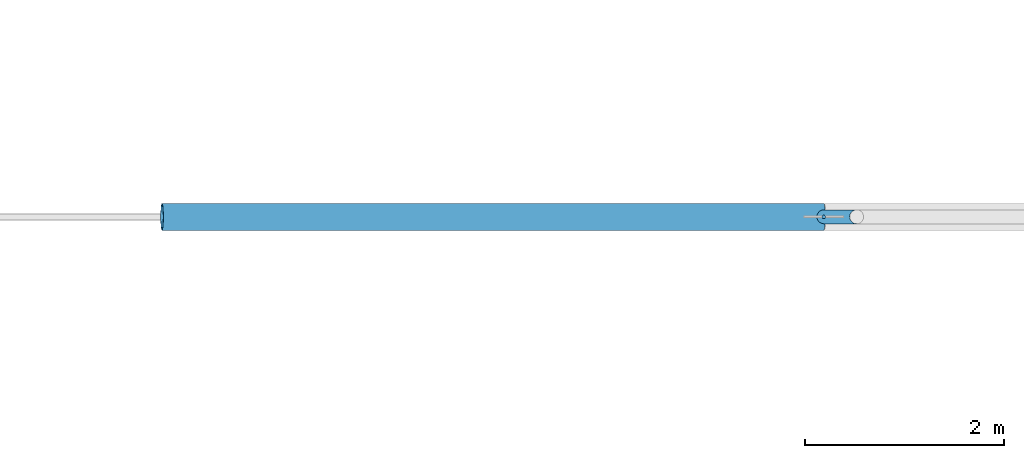
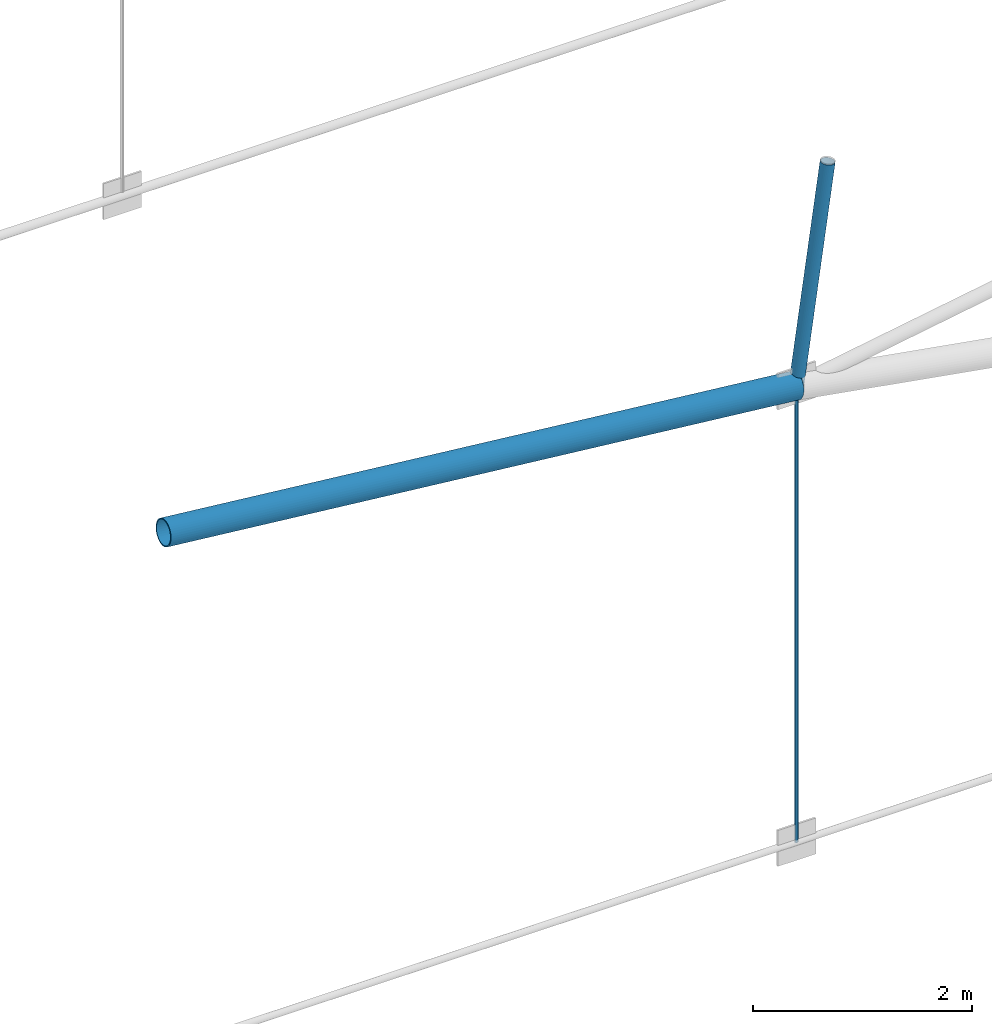
# One storey, part 41 of 321: 3 members.
"""IFC4 building model written with IfcOpenShell, lengths in metres."""

from ifc_helpers import new_model, si_unit, direction, frame, origin, origin_2d, place, context, subcontext, project, spatial, circle, hollow_circle, extrude, material, material_profile, profile_set, type_object, element, save


model = new_model("IFC4")

# Units and contexts
model_context = context("Model", 3, precision=1e-05, world=origin(), true_north=direction((0.0, 1.0)))
body_context = subcontext(model_context, "Body", "Model", "MODEL_VIEW")
ifc_project = project(units=[si_unit("LENGTHUNIT", "METRE"), si_unit("AREAUNIT", "SQUARE_METRE"), si_unit("VOLUMEUNIT", "CUBIC_METRE"), si_unit("PLANEANGLEUNIT", "RADIAN"), si_unit("MASSUNIT", "GRAM", prefix="KILO")], contexts=[model_context])

# Site, building, storey
site_placement = place(None, origin())
site = spatial("IfcSite", under=ifc_project, at=site_placement, CompositionType="ELEMENT")
building_placement = place(site_placement, origin())
building = spatial("IfcBuilding", under=site, at=building_placement, Name="Ravi Spectrum Wholesale Market", CompositionType="ELEMENT")
storey_placement = place(building_placement, frame((0.0, 0.0, 10.800048828125)))
storey = spatial("IfcBuildingStorey", under=building, at=storey_placement, Name="L02", CompositionType="ELEMENT", Elevation=10.800048828125)

# Members
ifc_material_1 = material(Name="Steel S355", Category="steel")
ifc_material_profile_1 = material_profile(ifc_material_1, hollow_circle(Radius=0.06982421875, WallThickness=0.0048828125, at=origin_2d()))
ifc_profile_set_1 = profile_set([ifc_material_profile_1], Name="Steel S355")
member_type_1 = type_object("IfcMemberType", Name="CHS 139.7x5 post", PredefinedType="POST", material=ifc_profile_set_1)
member_1_placement = place(storey_placement, frame((83.681884765625, 42.0, 7.479736328125), z_axis=(-0.137532332315, 0.0, -0.990497277921), x_axis=(0.0, -1.0, 0.0)))
element("IfcMember", 1, at=member_1_placement, inside=storey, type_object=member_type_1, Name="H1-MB-L02-143", PredefinedType="POST", context=body_context, shape_type="SweptSolid", body=[
    extrude(hollow_circle(Radius=0.06982421875, WallThickness=0.0048828125, at=origin_2d()), origin(), (0.0, 0.0, 1.0), 2.39990234375),
])
ifc_material_2 = material(Name="Steel S355", Category="steel")
ifc_material_profile_2 = material_profile(ifc_material_2, hollow_circle(Radius=0.136474609375, WallThickness=0.010009765625, at=origin_2d()))
ifc_profile_set_2 = profile_set([ifc_material_profile_2], Name="Steel S355")
member_type_2 = type_object("IfcMemberType", Name="CHS 273x10 chord", PredefinedType="CHORD", material=ifc_profile_set_2)
member_2_placement = place(storey_placement, frame((76.69189453125, 42.0, 5.79443359375), z_axis=(0.994646786479, 0.0, -0.103333296414), x_axis=(0.0, 1.0, 0.0)))
element("IfcMember", 2, at=member_2_placement, inside=storey, type_object=member_type_2, Name="H1-MB-L02-131", PredefinedType="CHORD", context=body_context, shape_type="SweptSolid", body=[
    extrude(hollow_circle(Radius=0.136474609375, WallThickness=0.010009765625, at=origin_2d()), origin(), (0.0, 0.0, 1.0), 6.69580078125),
])
ifc_material_3 = material(Name="Steel S355", Category="steel")
ifc_material_profile_3 = material_profile(ifc_material_3, circle(Radius=0.01806640625, at=origin_2d()))
ifc_profile_set_3 = profile_set([ifc_material_profile_3], Name="Steel S355")
member_type_3 = type_object("IfcMemberType", Name="ROD 36 hanger", PredefinedType="STRUT", material=ifc_profile_set_3)
member_3_placement = place(storey_placement, frame((83.351806640625, 42.0, 0.023193359375), z_axis=(0.0, 0.0, 1.0), x_axis=(1.0, 0.0, 0.0)))
element("IfcMember", 3, at=member_3_placement, inside=storey, type_object=member_type_3, Name="H1-MB-L02-161", PredefinedType="STRUT", context=body_context, shape_type="SweptSolid", body=[
    extrude(circle(Radius=0.01806640625, at=origin_2d()), origin(), (0.0, 0.0, 1.0), 5.079345703125),
])

save(model, "model.ifc")
